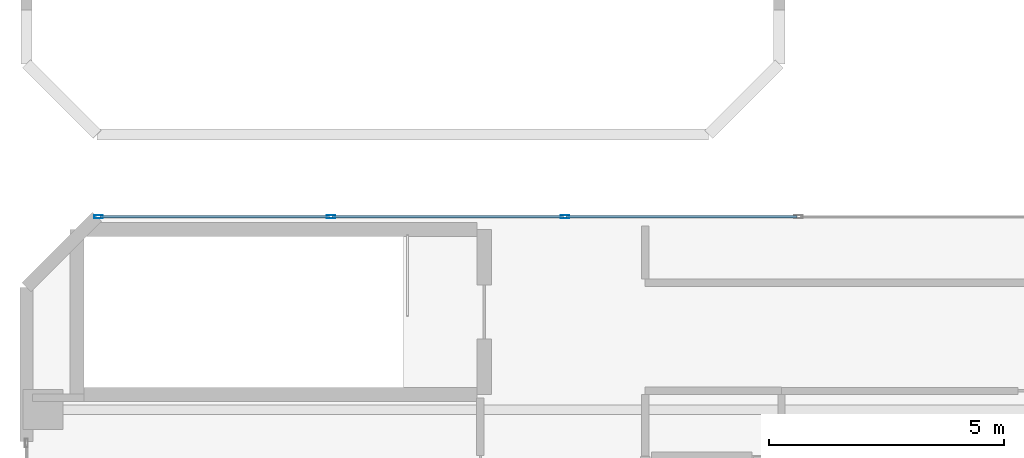
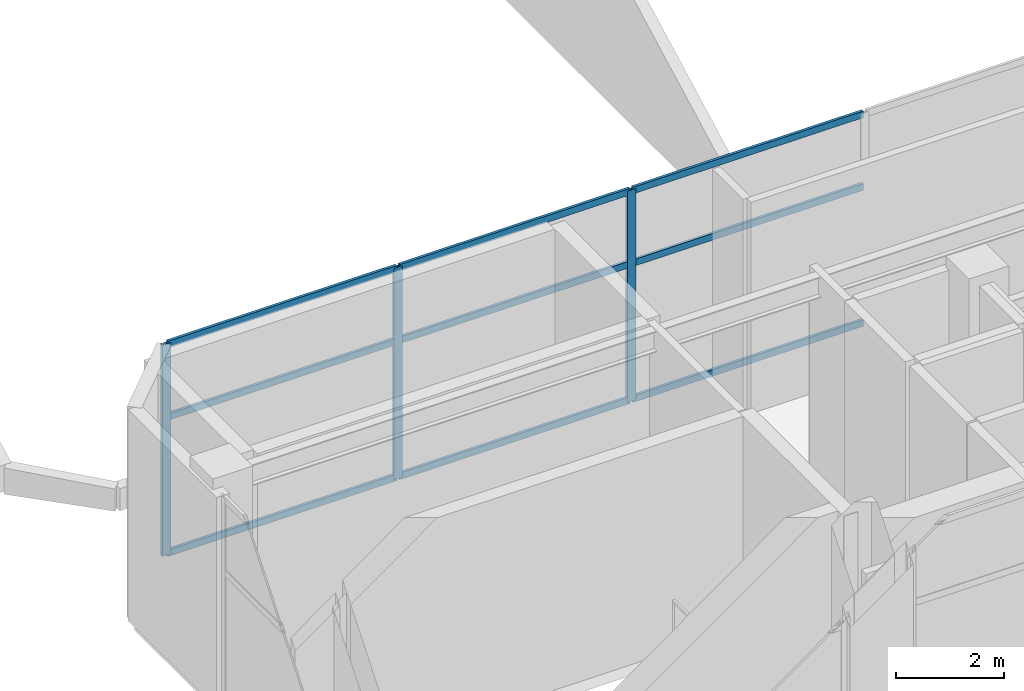
# One storey, part 5 of 12: 12 members, 1 element without a shape of its own.
"""IFC4 building model written with IfcOpenShell, lengths in metres."""

from ifc_helpers import new_model, si_unit, direction, frame, origin, origin_2d, place, context, subcontext, project, spatial, hollow_rectangle, extrude, material, layer, layer_set, material_profile, profile_set, type_object, element, aggregate, save


model = new_model("IFC4")

# Units and contexts
model_context = context("Model", 3, precision=1e-05, world=origin(), true_north=direction((0.0, 1.0)))
body_context = subcontext(model_context, "Body", "Model", "MODEL_VIEW")
ifc_project = project(units=[si_unit("LENGTHUNIT", "METRE"), si_unit("AREAUNIT", "SQUARE_METRE"), si_unit("VOLUMEUNIT", "CUBIC_METRE"), si_unit("PLANEANGLEUNIT", "RADIAN"), si_unit("MASSUNIT", "GRAM", prefix="KILO")], contexts=[model_context])

# Site, building, storey
site_placement = place(None, origin())
site = spatial("IfcSite", under=ifc_project, at=site_placement, CompositionType="ELEMENT")
building_placement = place(site_placement, origin())
building = spatial("IfcBuilding", under=site, at=building_placement, Name="Mawjaban Terraces University", CompositionType="ELEMENT")
storey_placement = place(building_placement, frame((0.0, 0.0, 321.699951171875)))
storey = spatial("IfcBuildingStorey", under=building, at=storey_placement, Name="L78", CompositionType="ELEMENT", Elevation=321.699951171875)

# Curtain wall, members
ifc_material_1 = material(Name="Anodised aluminium 6063-T6 and solar-control low-E glass", Category="aluminium")
ifc_layer = layer(ifc_material_1, 0.199951171875)
ifc_layer_set = layer_set([ifc_layer], Name="Anodised aluminium 6063-T6 and solar-control low-E glass")
curtain_wall_type = type_object("IfcCurtainWallType", Name="CWSystem_06_ObservationCrown", PredefinedType="NOTDEFINED", material=ifc_layer_set)
curtain_wall_placement = place(storey_placement, origin())
curtain_wall = element("IfcCurtainWall", 1, at=curtain_wall_placement, inside=storey, type_object=curtain_wall_type, Name="L78 Curtain Wall CW-06 Run 5.1", PredefinedType="NOTDEFINED")
ifc_material_2 = material(Name="Anodised aluminium 6063-T6", Category="aluminium")
ifc_material_profile_1 = material_profile(ifc_material_2, hollow_rectangle(XDim=0.06494140625, YDim=0.179931640625, WallThickness=0.00390625, at=origin_2d()), Name="ALU180X65X4")
ifc_profile_set_1 = profile_set([ifc_material_profile_1], Name="Anodised aluminium 6063-T6")
member_type_1 = type_object("IfcMemberType", Name="Mullion_CW-06", PredefinedType="MULLION", material=ifc_profile_set_1)
member_1_placement = place(storey_placement, frame((33.44287109375, 12.050048828125, 0.0), z_axis=(0.0, 0.0, 1.0), x_axis=(0.0, -1.0, 0.0)))
member_1 = element("IfcMember", 2, at=member_1_placement, type_object=member_type_1, Name="CW-06 mullion 6", PredefinedType="MULLION", context=body_context, shape_type="SweptSolid", body=[
    extrude(hollow_rectangle(XDim=0.06494140625, YDim=0.179931640625, WallThickness=0.00390625, at=origin_2d()), origin(), (0.0, 0.0, 1.0), 4.760009765625),
])
member_2_placement = place(storey_placement, frame((28.471435546875, 12.050048828125, 0.0), z_axis=(0.0, 0.0, 1.0), x_axis=(0.0, -1.0, 0.0)))
member_2 = element("IfcMember", 3, at=member_2_placement, type_object=member_type_1, Name="CW-06 mullion 7", PredefinedType="MULLION", context=body_context, shape_type="SweptSolid", body=[
    extrude(hollow_rectangle(XDim=0.06494140625, YDim=0.179931640625, WallThickness=0.00390625, at=origin_2d()), origin(), (0.0, 0.0, 1.0), 4.760009765625),
])
member_3_placement = place(storey_placement, frame((23.532470703125, 12.050048828125, 0.0), z_axis=(0.0, 0.0, 1.0), x_axis=(0.0, -1.0, 0.0)))
member_3 = element("IfcMember", 4, at=member_3_placement, type_object=member_type_1, Name="CW-06 mullion 8", PredefinedType="MULLION", context=body_context, shape_type="SweptSolid", body=[
    extrude(hollow_rectangle(XDim=0.06494140625, YDim=0.179931640625, WallThickness=0.00390625, at=origin_2d()), origin(), (0.0, 0.0, 1.0), 4.760009765625),
])
ifc_material_profile_2 = material_profile(ifc_material_2, hollow_rectangle(XDim=0.06005859375, YDim=0.14990234375, WallThickness=0.00390625, at=origin_2d()), Name="ALU150X60X4")
ifc_profile_set_2 = profile_set([ifc_material_profile_2], Name="Anodised aluminium 6063-T6")
member_type_2 = type_object("IfcMemberType", Name="Transom_CW-06", PredefinedType="NOTDEFINED", material=ifc_profile_set_2)
member_4_placement = place(storey_placement, frame((38.3818359375, 12.050048828125, 0.030029296875), z_axis=(-1.0, 0.0, 0.0), x_axis=(0.0, -1.0, 0.0)))
member_4 = element("IfcMember", 5, at=member_4_placement, type_object=member_type_2, Name="CW-06 transom 5.1", ObjectType="TRANSOM", PredefinedType="USERDEFINED", context=body_context, shape_type="SweptSolid", body=[
    extrude(hollow_rectangle(XDim=0.06005859375, YDim=0.14990234375, WallThickness=0.00390625, at=origin_2d()), origin(), (0.0, 0.0, 1.0), 4.906494140625),
])
member_5_placement = place(storey_placement, frame((38.3818359375, 12.050048828125, 3.093994140625), z_axis=(-1.0, 0.0, 0.0), x_axis=(0.0, -1.0, 0.0)))
member_5 = element("IfcMember", 6, at=member_5_placement, type_object=member_type_2, Name="CW-06 transom 5.2", ObjectType="TRANSOM", PredefinedType="USERDEFINED", context=body_context, shape_type="SweptSolid", body=[
    extrude(hollow_rectangle(XDim=0.06005859375, YDim=0.14990234375, WallThickness=0.00390625, at=origin_2d()), origin(), (0.0, 0.0, 1.0), 4.906494140625),
])
member_6_placement = place(storey_placement, frame((38.3818359375, 12.050048828125, 4.72998046875), z_axis=(-1.0, 0.0, 0.0), x_axis=(0.0, -1.0, 0.0)))
member_6 = element("IfcMember", 7, at=member_6_placement, type_object=member_type_2, Name="CW-06 transom 5.3", ObjectType="TRANSOM", PredefinedType="USERDEFINED", context=body_context, shape_type="SweptSolid", body=[
    extrude(hollow_rectangle(XDim=0.06005859375, YDim=0.14990234375, WallThickness=0.00390625, at=origin_2d()), origin(), (0.0, 0.0, 1.0), 4.906494140625),
])
member_7_placement = place(storey_placement, frame((33.410400390625, 12.050048828125, 0.030029296875), z_axis=(-1.0, 0.0, 0.0), x_axis=(0.0, -1.0, 0.0)))
member_7 = element("IfcMember", 8, at=member_7_placement, type_object=member_type_2, Name="CW-06 transom 6.1", ObjectType="TRANSOM", PredefinedType="USERDEFINED", context=body_context, shape_type="SweptSolid", body=[
    extrude(hollow_rectangle(XDim=0.06005859375, YDim=0.14990234375, WallThickness=0.00390625, at=origin_2d()), origin(), (0.0, 0.0, 1.0), 4.906494140625),
])
member_8_placement = place(storey_placement, frame((33.410400390625, 12.050048828125, 3.093994140625), z_axis=(-1.0, 0.0, 0.0), x_axis=(0.0, -1.0, 0.0)))
member_8 = element("IfcMember", 9, at=member_8_placement, type_object=member_type_2, Name="CW-06 transom 6.2", ObjectType="TRANSOM", PredefinedType="USERDEFINED", context=body_context, shape_type="SweptSolid", body=[
    extrude(hollow_rectangle(XDim=0.06005859375, YDim=0.14990234375, WallThickness=0.00390625, at=origin_2d()), origin(), (0.0, 0.0, 1.0), 4.906494140625),
])
member_9_placement = place(storey_placement, frame((33.410400390625, 12.050048828125, 4.72998046875), z_axis=(-1.0, 0.0, 0.0), x_axis=(0.0, -1.0, 0.0)))
member_9 = element("IfcMember", 10, at=member_9_placement, type_object=member_type_2, Name="CW-06 transom 6.3", ObjectType="TRANSOM", PredefinedType="USERDEFINED", context=body_context, shape_type="SweptSolid", body=[
    extrude(hollow_rectangle(XDim=0.06005859375, YDim=0.14990234375, WallThickness=0.00390625, at=origin_2d()), origin(), (0.0, 0.0, 1.0), 4.906494140625),
])
member_10_placement = place(storey_placement, frame((28.43896484375, 12.050048828125, 0.030029296875), z_axis=(-1.0, 0.0, 0.0), x_axis=(0.0, -1.0, 0.0)))
member_10 = element("IfcMember", 11, at=member_10_placement, type_object=member_type_2, Name="CW-06 transom 7.1", ObjectType="TRANSOM", PredefinedType="USERDEFINED", context=body_context, shape_type="SweptSolid", body=[
    extrude(hollow_rectangle(XDim=0.06005859375, YDim=0.14990234375, WallThickness=0.00390625, at=origin_2d()), origin(), (0.0, 0.0, 1.0), 4.8740234375),
])
member_11_placement = place(storey_placement, frame((28.43896484375, 12.050048828125, 3.093994140625), z_axis=(-1.0, 0.0, 0.0), x_axis=(0.0, -1.0, 0.0)))
member_11 = element("IfcMember", 12, at=member_11_placement, type_object=member_type_2, Name="CW-06 transom 7.2", ObjectType="TRANSOM", PredefinedType="USERDEFINED", context=body_context, shape_type="SweptSolid", body=[
    extrude(hollow_rectangle(XDim=0.06005859375, YDim=0.14990234375, WallThickness=0.00390625, at=origin_2d()), origin(), (0.0, 0.0, 1.0), 4.8740234375),
])
member_12_placement = place(storey_placement, frame((28.43896484375, 12.050048828125, 4.72998046875), z_axis=(-1.0, 0.0, 0.0), x_axis=(0.0, -1.0, 0.0)))
member_12 = element("IfcMember", 13, at=member_12_placement, type_object=member_type_2, Name="CW-06 transom 7.3", ObjectType="TRANSOM", PredefinedType="USERDEFINED", context=body_context, shape_type="SweptSolid", body=[
    extrude(hollow_rectangle(XDim=0.06005859375, YDim=0.14990234375, WallThickness=0.00390625, at=origin_2d()), origin(), (0.0, 0.0, 1.0), 4.8740234375),
])
aggregate(curtain_wall, [member_1, member_2, member_3, member_4, member_5, member_6, member_7, member_8, member_9, member_10, member_11, member_12])

save(model, "model.ifc")
